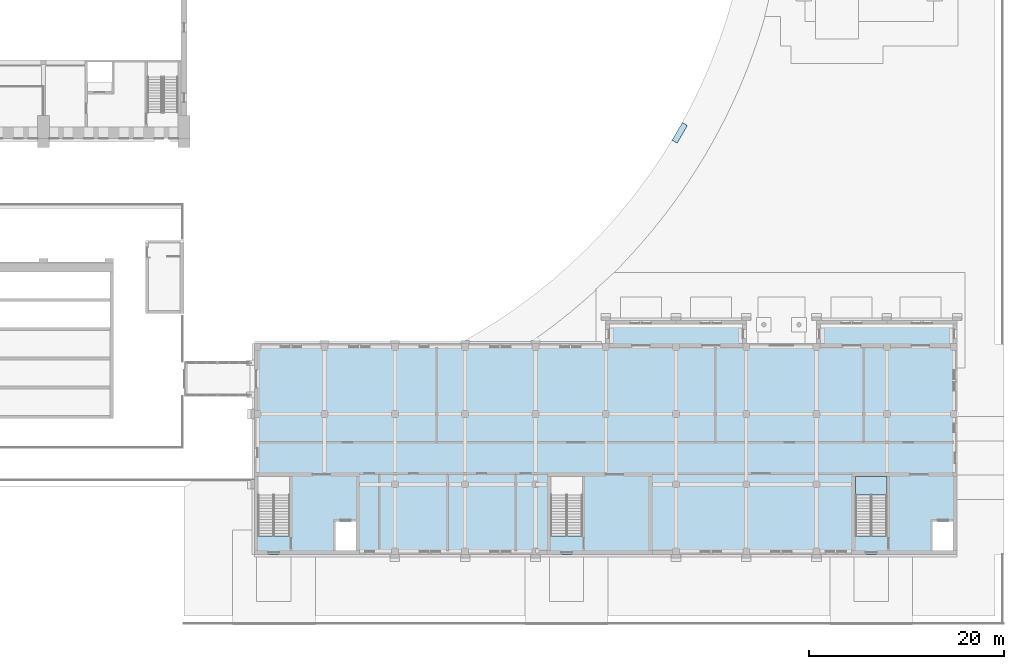
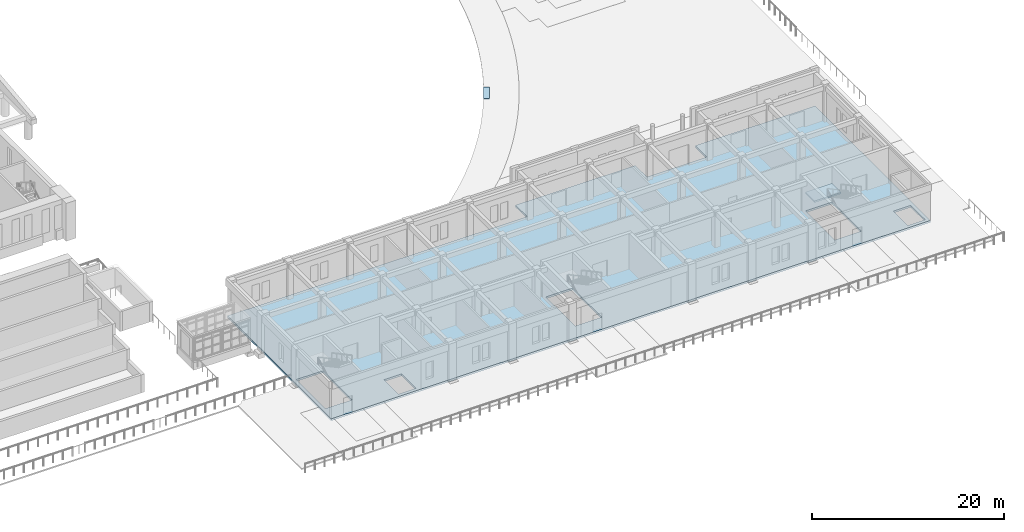
# One storey, part 69 of 131: 3 slabs, 1 element without a shape of its own.
"""IFC4 building model written with IfcOpenShell, lengths in metres."""

from ifc_helpers import new_model, si_unit, direction, frame, origin, place, context, subcontext, project, spatial, polyline, outline, extrude, material, layer, layer_set, type_object, element, aggregate, save


model = new_model("IFC4")

# Units and contexts
model_context = context("Model", 3, precision=1e-05, world=origin(), true_north=direction((0.0, 1.0)))
body_context = subcontext(model_context, "Body", "Model", "MODEL_VIEW")
ifc_project = project(units=[si_unit("LENGTHUNIT", "METRE"), si_unit("AREAUNIT", "SQUARE_METRE"), si_unit("VOLUMEUNIT", "CUBIC_METRE"), si_unit("PLANEANGLEUNIT", "RADIAN"), si_unit("MASSUNIT", "GRAM", prefix="KILO")], contexts=[model_context])

# Site, building, storey
site_placement = place(None, origin())
site = spatial("IfcSite", under=ifc_project, at=site_placement, CompositionType="ELEMENT")
building_placement = place(site_placement, origin())
building = spatial("IfcBuilding", under=site, at=building_placement, Name="Alderwick Market Hall", CompositionType="ELEMENT")
storey_placement = place(building_placement, frame((0.0, 0.0, 4.800048828125)))
storey = spatial("IfcBuildingStorey", under=building, at=storey_placement, Name="L00", CompositionType="ELEMENT", Elevation=4.800048828125)

# Slab
ifc_material_1 = material(Name="Concrete 4000 psi (f'c 28 MPa)", Category="concrete")
ifc_layer_1 = layer(ifc_material_1, 0.25)
ifc_layer_set_1 = layer_set([ifc_layer_1], Name="Concrete 4000 psi (f'c 28 MPa)")
slab_type_1 = type_object("IfcSlabType", Name="C Floor Slab Concrete 4000 psi 250", PredefinedType="FLOOR", material=ifc_layer_set_1)
slab_1_placement = place(storey_placement, frame((0.0, 0.0, -0.25)))
element("IfcSlab", 1, at=slab_1_placement, inside=storey, type_object=slab_type_1, Name="C.slab.L00.01", PredefinedType="FLOOR", context=body_context, shape_type="SweptSolid", body=[
    extrude(outline(polyline([(158.39990234375, 7.199951171875), (230.39990234375, 7.199951171875), (230.39990234375, 31.199951171875), (216.0, 31.199951171875), (216.0, 28.800048828125), (208.800048828125, 28.800048828125), (208.800048828125, 31.199951171875), (194.39990234375, 31.199951171875), (194.39990234375, 28.800048828125), (158.39990234375, 28.800048828125), (158.39990234375, 7.199951171875)]), holes=[polyline([(158.800048828125, 15.199951171875), (162.0, 15.199951171875), (162.0, 9.110107421875), (158.800048828125, 9.110107421875), (158.800048828125, 15.199951171875)]), polyline([(166.699951171875, 10.60009765625), (168.800048828125, 10.60009765625), (168.800048828125, 7.60009765625), (166.699951171875, 7.60009765625), (166.699951171875, 10.60009765625)]), polyline([(188.800048828125, 15.199951171875), (192.0, 15.199951171875), (192.0, 9.110107421875), (188.800048828125, 9.110107421875), (188.800048828125, 15.199951171875)]), polyline([(220.0, 15.199951171875), (223.199951171875, 15.199951171875), (223.199951171875, 9.110107421875), (220.0, 9.110107421875), (220.0, 15.199951171875)]), polyline([(227.89990234375, 10.60009765625), (230.0, 10.60009765625), (230.0, 7.60009765625), (227.89990234375, 7.60009765625), (227.89990234375, 10.60009765625)])]), origin(), (0.0, 0.0, 1.0), 0.25),
])

# Stair, slab
ifc_material_2 = material(Name="Concrete 5000 psi (f'c 35 MPa)", Category="concrete")
stair_type = type_object("IfcStairType", Name="C Exit Stair 1600", PredefinedType="HALF_TURN_STAIR", material=ifc_material_2)
stair_placement = place(storey_placement, origin())
stair = element("IfcStair", 2, at=stair_placement, inside=storey, type_object=stair_type, Name="C.stair.L00.C", PredefinedType="HALF_TURN_STAIR")
ifc_layer_2 = layer(ifc_material_2, 0.199951171875)
ifc_layer_set_2 = layer_set([ifc_layer_2], Name="Concrete 5000 psi (f'c 35 MPa)")
slab_type_2 = type_object("IfcSlabType", Name="C Stair Landing Concrete 5000 psi 200", PredefinedType="LANDING", material=ifc_layer_set_2)
slab_2_placement = place(storey_placement, frame((0.0, 0.0, 2.199951171875)))
slab_2 = element("IfcSlab", 3, at=slab_2_placement, type_object=slab_type_2, Name="C-ST-C-L00 landing 1", PredefinedType="LANDING", context=body_context, shape_type="SweptSolid", body=[
    extrude(outline(polyline([(220.0, 15.199951171875), (223.199951171875, 15.199951171875), (223.199951171875, 13.300048828125), (220.0, 13.300048828125), (220.0, 15.199951171875)])), origin(), (0.0, 0.0, 1.0), 0.199951171875),
])
aggregate(stair, [slab_2])

# Slab
ifc_layer_3 = layer(ifc_material_1, 0.14990234375)
ifc_layer_set_3 = layer_set([ifc_layer_3], Name="Concrete 4000 psi (f'c 28 MPa)")
slab_type_3 = type_object("IfcSlabType", Name="S Terrace Deck 150", PredefinedType="USERDEFINED", material=ifc_layer_set_3)
slab_3_placement = place(storey_placement, frame((0.0, 0.0, -0.150146484375)))
element("IfcSlab", 4, at=slab_3_placement, inside=storey, type_object=slab_type_3, Name="Stair arrival pad 4.1", ObjectType="PAVING SLAB", PredefinedType="USERDEFINED", context=body_context, shape_type="SweptSolid", body=[
    extrude(outline(polyline([(202.2490234375, 51.458740234375), (201.19921875, 49.64013671875), (201.71875, 49.340087890625), (202.768798828125, 51.15869140625), (202.2490234375, 51.458740234375)])), origin(), (0.0, 0.0, 1.0), 0.150146484375),
])

save(model, "model.ifc")
